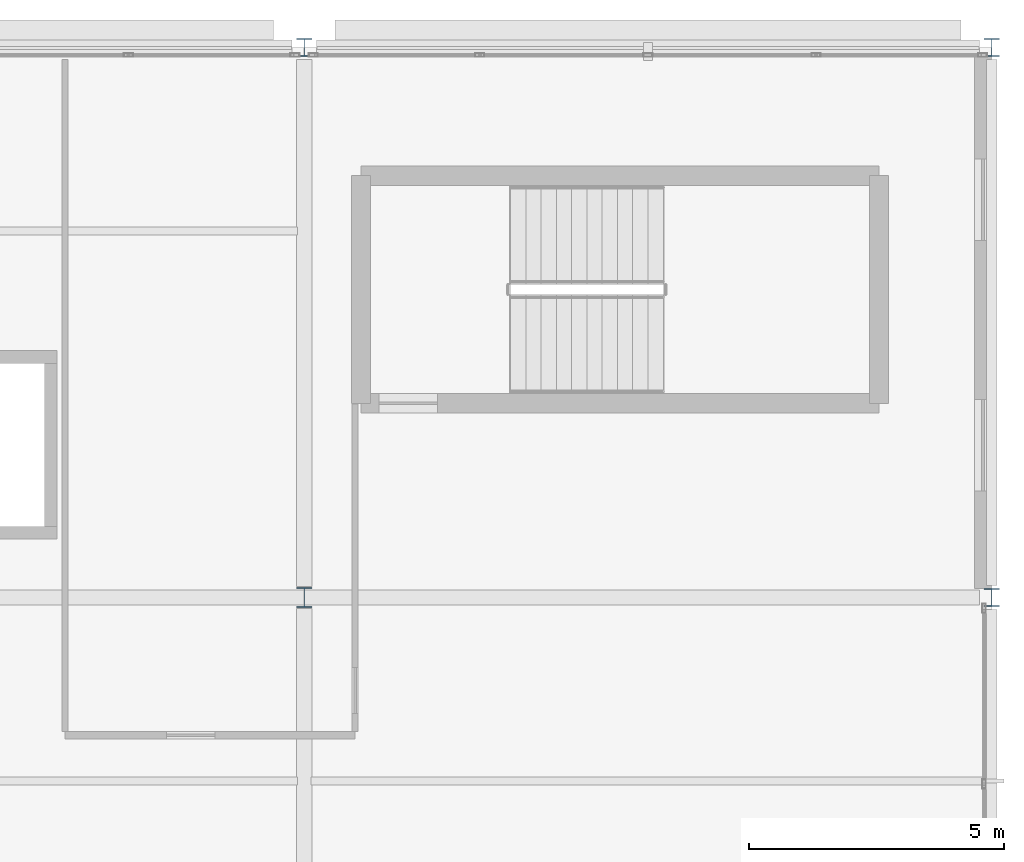
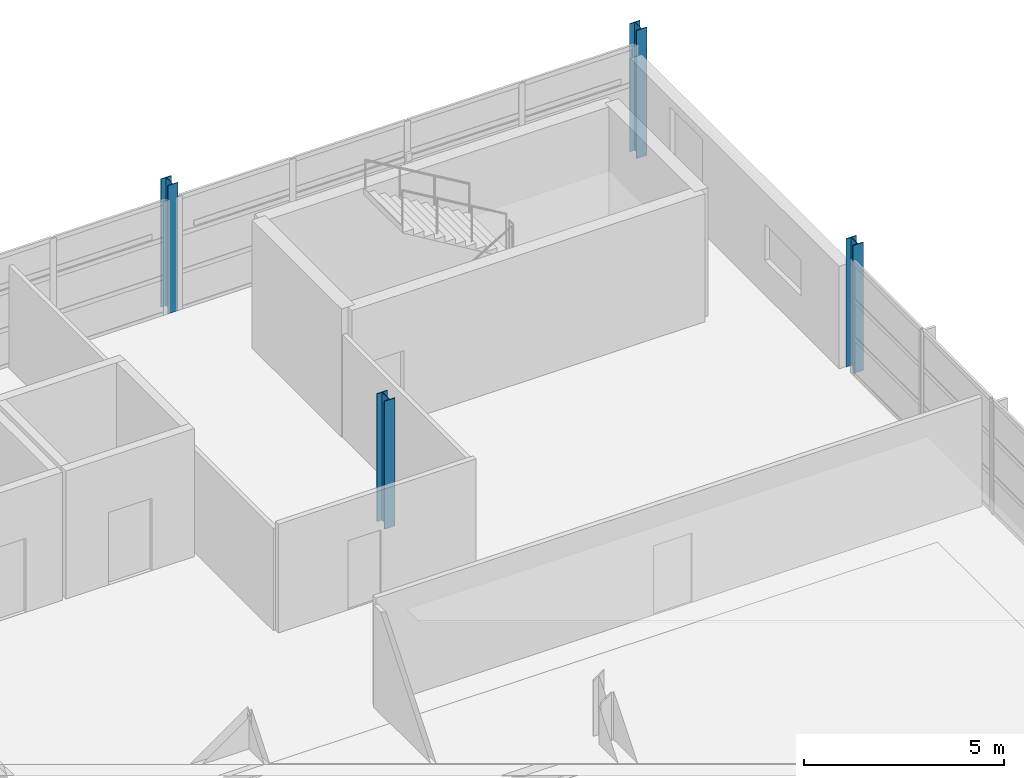
# One storey, part 4 of 33: 4 columns.
"""IFC4 building model written with IfcOpenShell, lengths in metres."""

from ifc_helpers import new_model, si_unit, direction, frame, origin, origin_2d, place, context, subcontext, project, spatial, i_section, extrude, material, material_profile, profile_set, type_object, element, save


model = new_model("IFC4")

# Units and contexts
model_context = context("Model", 3, precision=1e-05, world=origin(), true_north=direction((0.0, 1.0)))
body_context = subcontext(model_context, "Body", "Model", "MODEL_VIEW")
ifc_project = project(units=[si_unit("LENGTHUNIT", "METRE"), si_unit("AREAUNIT", "SQUARE_METRE"), si_unit("VOLUMEUNIT", "CUBIC_METRE"), si_unit("PLANEANGLEUNIT", "RADIAN"), si_unit("MASSUNIT", "GRAM", prefix="KILO")], contexts=[model_context])

# Site, building, storey
site_placement = place(None, origin())
site = spatial("IfcSite", under=ifc_project, at=site_placement, CompositionType="ELEMENT")
building_placement = place(site_placement, origin())
building = spatial("IfcBuilding", under=site, at=building_placement, Name="Tamarisk Ironworks Central Station", CompositionType="ELEMENT")
storey_placement = place(building_placement, frame((0.0, 0.0, 21.300048828125)))
storey = spatial("IfcBuildingStorey", under=building, at=storey_placement, Name="L04", CompositionType="ELEMENT", Elevation=21.300048828125)

# Columns
ifc_material = material(Name="Structural steel S355J2", Category="steel")
ifc_material_profile_1 = material_profile(ifc_material, i_section(OverallWidth=0.300048828125, OverallDepth=0.39990234375, WebThickness=0.013427734375, FlangeThickness=0.02392578125, at=origin_2d()), Name="HEB 400")
ifc_profile_set_1 = profile_set([ifc_material_profile_1], Name="Structural steel S355J2")
column_type_1 = type_object("IfcColumnType", Name="COL-S09", PredefinedType="COLUMN", material=ifc_profile_set_1)
column_placement = place(storey_placement, frame((166.5, 111.60009765625, 0.0), z_axis=(0.0, 0.0, 1.0), x_axis=(1.0, 0.0, 0.0)))
element("IfcColumn", 1, at=column_placement, inside=storey, type_object=column_type_1, Name="L04 column V5-19L", PredefinedType="COLUMN", context=body_context, shape_type="SweptSolid", body=[
    extrude(i_section(OverallWidth=0.300048828125, OverallDepth=0.39990234375, WebThickness=0.013427734375, FlangeThickness=0.02392578125, at=origin_2d()), origin(), (0.0, 0.0, 1.0), 3.89990234375),
])
ifc_material_profile_2 = material_profile(ifc_material, i_section(OverallWidth=0.300048828125, OverallDepth=0.360107421875, WebThickness=0.012451171875, FlangeThickness=0.0224609375, at=origin_2d()), Name="HEB 360")
ifc_profile_set_2 = profile_set([ifc_material_profile_2], Name="Structural steel S355J2")
column_type_2 = type_object("IfcColumnType", Name="COL-S10", PredefinedType="COLUMN", material=ifc_profile_set_2)
for number, where, z_axis, x_axis, name in (
    (2, (166.5, 122.39990234375, 0.0), (0.0, 0.0, 1.0), (1.0, 0.0, 0.0), "L04 column V5-19N"),
    (3, (180.0, 111.60009765625, 0.0), (0.0, 0.0, 1.0), (1.0, 0.0, 0.0), "L04 column V5-20L"),
    (4, (180.0, 122.39990234375, 0.0), (0.0, 0.0, 1.0), (1.0, 0.0, 0.0), "L04 column V5-20N"),
):
    element("IfcColumn", number, at=place(storey_placement, frame(where, z_axis=z_axis, x_axis=x_axis)), inside=storey, type_object=column_type_2, Name=name, PredefinedType="COLUMN", context=body_context, shape_type="SweptSolid", body=[
        extrude(i_section(OverallWidth=0.300048828125, OverallDepth=0.360107421875, WebThickness=0.012451171875, FlangeThickness=0.0224609375, at=origin_2d()), origin(), (0.0, 0.0, 1.0), 3.89990234375),
    ])

save(model, "model.ifc")
